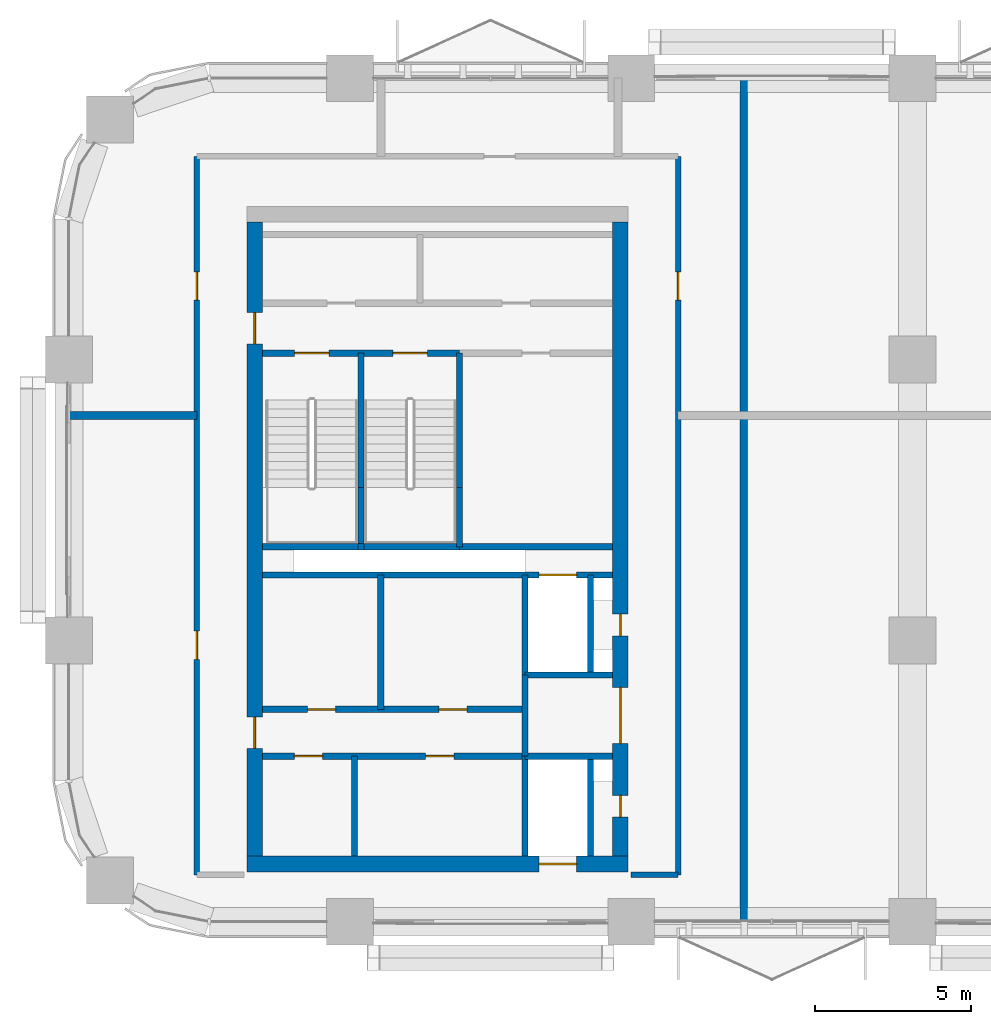
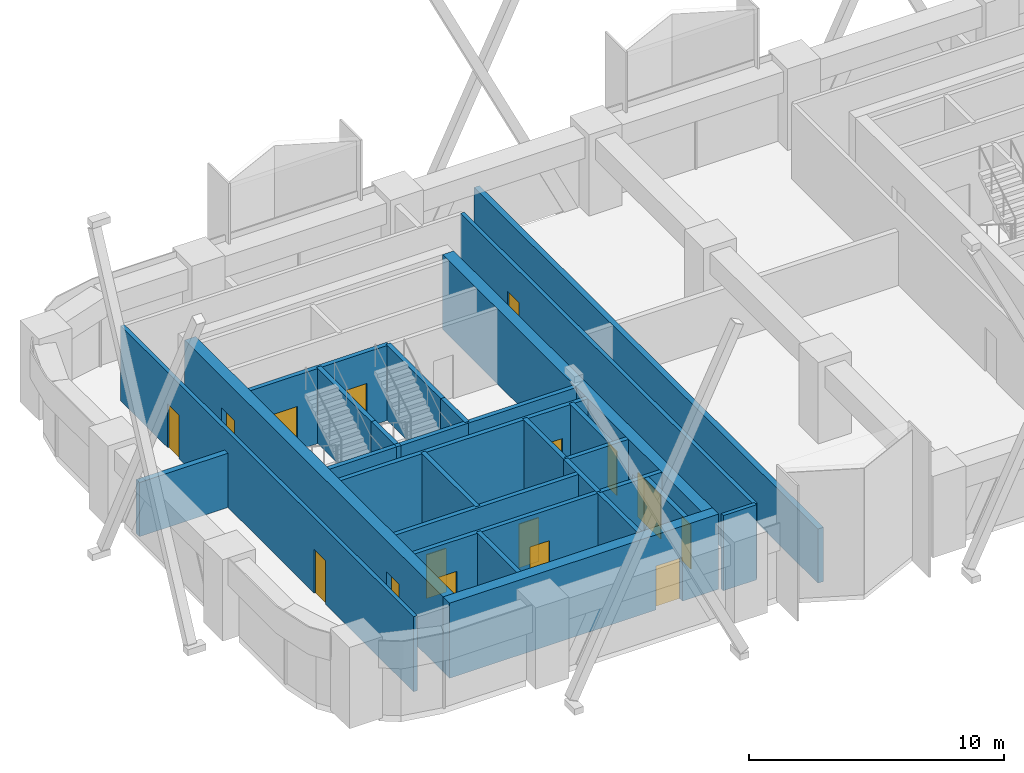
# One storey, part 9 of 14: 29 walls, 16 doors, 16 openings.
"""IFC4 building model written with IfcOpenShell, lengths in metres."""

from ifc_helpers import new_model, si_unit, direction, frame, frame_2d, origin, place, context, subcontext, project, spatial, rectangle, extrude, material, layer, layer_set, type_object, element, fill, save


model = new_model("IFC4")

# Units and contexts
model_context = context("Model", 3, precision=1e-05, world=origin(), true_north=direction((0.0, 1.0)))
body_context = subcontext(model_context, "Body", "Model", "MODEL_VIEW")
ifc_project = project(units=[si_unit("LENGTHUNIT", "METRE"), si_unit("AREAUNIT", "SQUARE_METRE"), si_unit("VOLUMEUNIT", "CUBIC_METRE"), si_unit("PLANEANGLEUNIT", "RADIAN"), si_unit("MASSUNIT", "GRAM", prefix="KILO")], contexts=[model_context])

# Site, building, storey
site_placement = place(None, origin())
site = spatial("IfcSite", under=ifc_project, at=site_placement, CompositionType="ELEMENT")
building_placement = place(site_placement, origin())
building = spatial("IfcBuilding", under=site, at=building_placement, Name="Tessera Arch", CompositionType="ELEMENT")
storey_placement = place(building_placement, frame((0.0, 0.0, 181.699951171875)))
storey = spatial("IfcBuildingStorey", under=building, at=storey_placement, Name="L43", CompositionType="ELEMENT", Elevation=181.699951171875)

# Walls
ifc_material_1 = material(Name="Gypsum board on steel stud", Category="steel")
ifc_layer_1 = layer(ifc_material_1, 0.125)
ifc_layer_set_1 = layer_set([ifc_layer_1], Name="Core partition 125 EI 60")
wall_type_1 = type_object("IfcWallType", Name="Core partition 125 EI 60", PredefinedType="PARTITIONING", material=ifc_layer_set_1)
wall_1_placement = place(storey_placement, frame((9.139892578125, 29.10009765625, 0.0), z_axis=(0.0, 0.0, 1.0), x_axis=(0.0, 1.0, 0.0)))
element("IfcWall", 1, at=wall_1_placement, inside=storey, type_object=wall_type_1, Name="L43 C2 partition wall 1", PredefinedType="PARTITIONING", context=body_context, shape_type="SweptSolid", body=[
    extrude(rectangle(XDim=3.199951171875, YDim=0.199951171875, at=frame_2d((1.60009765625, 0.0))), origin(), (0.0, 0.0, 1.0), 3.60009765625),
])
wall_2_placement = place(storey_placement, frame((9.97998046875, 33.800048828125, 0.0), z_axis=(0.0, 0.0, 1.0), x_axis=(0.0, 1.0, 0.0)))
element("IfcWall", 2, at=wall_2_placement, inside=storey, type_object=wall_type_1, Name="L43 C2 partition wall 4", PredefinedType="PARTITIONING", context=body_context, shape_type="SweptSolid", body=[
    extrude(rectangle(XDim=4.300048828125, YDim=0.199951171875, at=frame_2d((2.14990234375, 0.0))), origin(), (0.0, 0.0, 1.0), 3.60009765625),
])
wall_3_placement = place(storey_placement, frame((14.60009765625, 32.300048828125, 0.0), z_axis=(0.0, 0.0, 1.0), x_axis=(0.0, 1.0, 0.0)))
element("IfcWall", 3, at=wall_3_placement, inside=storey, type_object=wall_type_1, Name="L43 C2 partition wall 8", PredefinedType="PARTITIONING", context=body_context, shape_type="SweptSolid", body=[
    extrude(rectangle(XDim=2.599853515625, YDim=0.199951171875, at=frame_2d((1.2998046875, 0.0))), origin(), (0.0, 0.0, 1.0), 3.60009765625),
])

# Wall, openings, doors
wall_4_placement = place(storey_placement, frame((6.199951171875, 32.300048828125, 0.0), z_axis=(0.0, 0.0, 1.0), x_axis=(1.0, 0.0, 0.0)))
wall_4 = element("IfcWall", 4, at=wall_4_placement, inside=storey, type_object=wall_type_1, Name="L43 C2 partition wall 13", PredefinedType="PARTITIONING", context=body_context, shape_type="SweptSolid", body=[
    extrude(rectangle(XDim=8.400146484375, YDim=0.199951171875, at=frame_2d((4.2001953125, 0.0))), origin(), (0.0, 0.0, 1.0), 3.60009765625),
])
opening_1_placement = place(wall_4_placement, frame((1.02001953125, 0.0, 0.0)))
opening_1 = element("IfcOpeningElement", 5, at=opening_1_placement, cuts=wall_4, Name="Opening L43-C32", PredefinedType="OPENING", context=body_context, shape_type="SweptSolid", body=[
    extrude(rectangle(XDim=0.89990234375, YDim=2.10009765625, at=frame_2d((0.449951171875, 1.050048828125))), frame((0.0, 0.10986328125, 0.0), z_axis=(0.0, -1.0, 0.0), x_axis=(1.0, 0.0, 0.0)), (0.0, 0.0, 1.0), 0.219970703125),
])
opening_2_placement = place(wall_4_placement, frame((5.219970703125, 0.0, 0.0)))
opening_2 = element("IfcOpeningElement", 6, at=opening_2_placement, cuts=wall_4, Name="Opening L43-C33", PredefinedType="OPENING", context=body_context, shape_type="SweptSolid", body=[
    extrude(rectangle(XDim=0.89990234375, YDim=2.10009765625, at=frame_2d((0.449951171875, 1.050048828125))), frame((0.0, 0.10986328125, 0.0), z_axis=(0.0, -1.0, 0.0), x_axis=(1.0, 0.0, 0.0)), (0.0, 0.0, 1.0), 0.219970703125),
])
ifc_material_2 = material(Name="Steel door leaf", Category="steel")
door_type_1 = type_object("IfcDoorType", Name="Store door FD30S 900 x 2100", OperationType="SINGLE_SWING_LEFT", PredefinedType="DOOR", material=ifc_material_2)
door_1_placement = place(opening_1_placement, origin())
door_1 = element("IfcDoor", 7, at=door_1_placement, inside=storey, type_object=door_type_1, Name="L43 C2 door 13 C32 type D09", OperationType="SINGLE_SWING_LEFT", OverallHeight=2.10009765625, OverallWidth=0.89990234375, PredefinedType="DOOR", context=body_context, shape_type="SweptSolid", body=[
    extrude(rectangle(XDim=0.89990234375, YDim=2.10009765625, at=frame_2d((0.449951171875, 1.050048828125))), frame((0.0, 0.02490234375, 0.0), z_axis=(0.0, -1.0, 0.0), x_axis=(1.0, 0.0, 0.0)), (0.0, 0.0, 1.0), 0.050048828125),
])
fill(opening_1, door_1)
door_2_placement = place(opening_2_placement, origin())
door_2 = element("IfcDoor", 8, at=door_2_placement, inside=storey, type_object=door_type_1, Name="L43 C2 door 14 C33 type D09", OperationType="SINGLE_SWING_RIGHT", OverallHeight=2.10009765625, OverallWidth=0.89990234375, PredefinedType="DOOR", context=body_context, shape_type="SweptSolid", body=[
    extrude(rectangle(XDim=0.89990234375, YDim=2.10009765625, at=frame_2d((0.449951171875, 1.050048828125))), frame((0.0, 0.02490234375, 0.0), z_axis=(0.0, -1.0, 0.0), x_axis=(1.0, 0.0, 0.0)), (0.0, 0.0, 1.0), 0.050048828125),
])
fill(opening_2, door_2)

wall_5_placement = place(storey_placement, frame((6.199951171875, 33.800048828125, 0.0), z_axis=(0.0, 0.0, 1.0), x_axis=(1.0, 0.0, 0.0)))
wall_5 = element("IfcWall", 9, at=wall_5_placement, inside=storey, type_object=wall_type_1, Name="L43 C2 partition wall 15", PredefinedType="PARTITIONING", context=body_context, shape_type="SweptSolid", body=[
    extrude(rectangle(XDim=8.400146484375, YDim=0.199951171875, at=frame_2d((4.2001953125, 0.0))), origin(), (0.0, 0.0, 1.0), 3.60009765625),
])
opening_3_placement = place(wall_5_placement, frame((1.43994140625, 0.0, 0.0)))
opening_3 = element("IfcOpeningElement", 10, at=opening_3_placement, cuts=wall_5, Name="Opening L43-C34", PredefinedType="OPENING", context=body_context, shape_type="SweptSolid", body=[
    extrude(rectangle(XDim=0.89990234375, YDim=2.10009765625, at=frame_2d((0.449951171875, 1.050048828125))), frame((0.0, 0.10986328125, 0.0), z_axis=(0.0, -1.0, 0.0), x_axis=(1.0, 0.0, 0.0)), (0.0, 0.0, 1.0), 0.219970703125),
])
opening_4_placement = place(wall_5_placement, frame((5.639892578125, 0.0, 0.0)))
opening_4 = element("IfcOpeningElement", 11, at=opening_4_placement, cuts=wall_5, Name="Opening L43-C35", PredefinedType="OPENING", context=body_context, shape_type="SweptSolid", body=[
    extrude(rectangle(XDim=0.89990234375, YDim=2.10009765625, at=frame_2d((0.449951171875, 1.050048828125))), frame((0.0, 0.10986328125, 0.0), z_axis=(0.0, -1.0, 0.0), x_axis=(1.0, 0.0, 0.0)), (0.0, 0.0, 1.0), 0.219970703125),
])
door_3_placement = place(opening_3_placement, origin())
door_3 = element("IfcDoor", 12, at=door_3_placement, inside=storey, type_object=door_type_1, Name="L43 C2 door 15 C34 type D09", OperationType="SINGLE_SWING_LEFT", OverallHeight=2.10009765625, OverallWidth=0.89990234375, PredefinedType="DOOR", context=body_context, shape_type="SweptSolid", body=[
    extrude(rectangle(XDim=0.89990234375, YDim=2.10009765625, at=frame_2d((0.449951171875, 1.050048828125))), frame((0.0, 0.02490234375, 0.0), z_axis=(0.0, -1.0, 0.0), x_axis=(1.0, 0.0, 0.0)), (0.0, 0.0, 1.0), 0.050048828125),
])
fill(opening_3, door_3)
door_4_placement = place(opening_4_placement, origin())
door_4 = element("IfcDoor", 13, at=door_4_placement, inside=storey, type_object=door_type_1, Name="L43 C2 door 16 C35 type D09", OperationType="SINGLE_SWING_RIGHT", OverallHeight=2.10009765625, OverallWidth=0.89990234375, PredefinedType="DOOR", context=body_context, shape_type="SweptSolid", body=[
    extrude(rectangle(XDim=0.89990234375, YDim=2.10009765625, at=frame_2d((0.449951171875, 1.050048828125))), frame((0.0, 0.02490234375, 0.0), z_axis=(0.0, -1.0, 0.0), x_axis=(1.0, 0.0, 0.0)), (0.0, 0.0, 1.0), 0.050048828125),
])
fill(opening_4, door_4)

# Wall, opening, door
ifc_material_3 = material(Name="Concrete C60/75", Category="concrete")
ifc_layer_2 = layer(ifc_material_3, 0.5)
ifc_layer_set_2 = layer_set([ifc_layer_2], Name="Core shell wall 500 C60-75")
wall_type_2 = type_object("IfcWallType", Name="Core shell wall 500 C60-75", PredefinedType="SHEAR", material=ifc_layer_set_2)
wall_6_placement = place(storey_placement, frame((5.699951171875, 28.85009765625, 0.0), z_axis=(0.0, 0.0, 1.0), x_axis=(1.0, 0.0, 0.0)))
wall_6 = element("IfcWall", 14, at=wall_6_placement, inside=storey, type_object=wall_type_2, Name="L43 C2 core wall S", PredefinedType="SHEAR", context=body_context, shape_type="SweptSolid", body=[
    extrude(rectangle(XDim=12.199951171875, YDim=0.5, at=frame_2d((6.10009765625, 0.0))), origin(), (0.0, 0.0, 1.0), 3.60009765625),
])
opening_5_placement = place(wall_6_placement, frame((9.35009765625, 0.0, 0.0)))
opening_5 = element("IfcOpeningElement", 15, at=opening_5_placement, cuts=wall_6, Name="Opening L43-C20", PredefinedType="OPENING", context=body_context, shape_type="SweptSolid", body=[
    extrude(rectangle(XDim=1.199951171875, YDim=2.10009765625, at=frame_2d((0.60009765625, 1.050048828125))), frame((0.0, 0.260009765625, 0.0), z_axis=(0.0, -1.0, 0.0), x_axis=(1.0, 0.0, 0.0)), (0.0, 0.0, 1.0), 0.52001953125),
])
ifc_material_4 = material(Name="Stainless steel AISI 304", Category="steel")
door_type_2 = type_object("IfcDoorType", Name="Sliding landing door 1200 x 2100", OperationType="SLIDING_TO_LEFT", PredefinedType="DOOR", material=ifc_material_4)
door_5_placement = place(opening_5_placement, origin())
door_5 = element("IfcDoor", 16, at=door_5_placement, inside=storey, type_object=door_type_2, Name="L43 HR7 lift landing door C20 type LD", OperationType="SLIDING_TO_LEFT", OverallHeight=2.10009765625, OverallWidth=1.199951171875, PredefinedType="DOOR", context=body_context, shape_type="SweptSolid", body=[
    extrude(rectangle(XDim=1.199951171875, YDim=2.10009765625, at=frame_2d((0.60009765625, 1.050048828125))), frame((0.0, 0.02490234375, 0.0), z_axis=(0.0, -1.0, 0.0), x_axis=(1.0, 0.0, 0.0)), (0.0, 0.0, 1.0), 0.050048828125),
])
fill(opening_5, door_5)

# Wall, openings, doors
wall_7_placement = place(storey_placement, frame((5.949951171875, 29.10009765625, 0.0), z_axis=(0.0, 0.0, 1.0), x_axis=(0.0, 1.0, 0.0)))
wall_7 = element("IfcWall", 17, at=wall_7_placement, inside=storey, type_object=wall_type_2, Name="L43 C2 core wall W", PredefinedType="SHEAR", context=body_context, shape_type="SweptSolid", body=[
    extrude(rectangle(XDim=20.2998046875, YDim=0.5, at=frame_2d((10.14990234375, 0.0))), origin(), (0.0, 0.0, 1.0), 3.60009765625),
])
opening_6_placement = place(wall_7_placement, frame((3.449951171875, 0.0, 0.0)))
opening_6 = element("IfcOpeningElement", 18, at=opening_6_placement, cuts=wall_7, Name="Opening L43-C27", PredefinedType="OPENING", context=body_context, shape_type="SweptSolid", body=[
    extrude(rectangle(XDim=1.0, YDim=2.10009765625, at=frame_2d((0.5, 1.050048828125))), frame((0.0, 0.260009765625, 0.0), z_axis=(0.0, -1.0, 0.0), x_axis=(1.0, 0.0, 0.0)), (0.0, 0.0, 1.0), 0.52001953125),
])
opening_7_placement = place(wall_7_placement, frame((16.39990234375, 0.0, 0.0)))
opening_7 = element("IfcOpeningElement", 19, at=opening_7_placement, cuts=wall_7, Name="Opening L43-C28", PredefinedType="OPENING", context=body_context, shape_type="SweptSolid", body=[
    extrude(rectangle(XDim=1.0, YDim=2.10009765625, at=frame_2d((0.5, 1.050048828125))), frame((0.0, 0.260009765625, 0.0), z_axis=(0.0, -1.0, 0.0), x_axis=(1.0, 0.0, 0.0)), (0.0, 0.0, 1.0), 0.52001953125),
])
ifc_material_5 = material(Name="Steel door leaf", Category="steel")
door_type_3 = type_object("IfcDoorType", Name="Corridor door FD60 1000 x 2100", OperationType="SINGLE_SWING_LEFT", PredefinedType="DOOR", material=ifc_material_5)
door_6_placement = place(opening_6_placement, origin())
door_6 = element("IfcDoor", 20, at=door_6_placement, inside=storey, type_object=door_type_3, Name="L43 C2 door 8 C27 type D12", OperationType="SINGLE_SWING_LEFT", OverallHeight=2.10009765625, OverallWidth=1.0, PredefinedType="DOOR", context=body_context, shape_type="SweptSolid", body=[
    extrude(rectangle(XDim=1.0, YDim=2.10009765625, at=frame_2d((0.5, 1.050048828125))), frame((0.0, 0.02490234375, 0.0), z_axis=(0.0, -1.0, 0.0), x_axis=(1.0, 0.0, 0.0)), (0.0, 0.0, 1.0), 0.050048828125),
])
fill(opening_6, door_6)
door_7_placement = place(opening_7_placement, origin())
door_7 = element("IfcDoor", 21, at=door_7_placement, inside=storey, type_object=door_type_3, Name="L43 C2 door 9 C28 type D12", OperationType="SINGLE_SWING_RIGHT", OverallHeight=2.10009765625, OverallWidth=1.0, PredefinedType="DOOR", context=body_context, shape_type="SweptSolid", body=[
    extrude(rectangle(XDim=1.0, YDim=2.10009765625, at=frame_2d((0.5, 1.050048828125))), frame((0.0, 0.02490234375, 0.0), z_axis=(0.0, -1.0, 0.0), x_axis=(1.0, 0.0, 0.0)), (0.0, 0.0, 1.0), 0.050048828125),
])
fill(opening_7, door_7)

wall_8_placement = place(storey_placement, frame((17.64990234375, 29.10009765625, 0.0), z_axis=(0.0, 0.0, 1.0), x_axis=(0.0, 1.0, 0.0)))
wall_8 = element("IfcWall", 22, at=wall_8_placement, inside=storey, type_object=wall_type_2, Name="L43 C2 core wall E", PredefinedType="SHEAR", context=body_context, shape_type="SweptSolid", body=[
    extrude(rectangle(XDim=20.2998046875, YDim=0.5, at=frame_2d((10.14990234375, 0.0))), origin(), (0.0, 0.0, 1.0), 3.60009765625),
])
opening_8_placement = place(wall_8_placement, frame((1.25, 0.0, 0.0)))
opening_8 = element("IfcOpeningElement", 23, at=opening_8_placement, cuts=wall_8, Name="Opening L43-C22", PredefinedType="OPENING", context=body_context, shape_type="SweptSolid", body=[
    extrude(rectangle(XDim=0.699951171875, YDim=2.10009765625, at=frame_2d((0.35009765625, 1.050048828125))), frame((0.0, 0.260009765625, 0.0), z_axis=(0.0, -1.0, 0.0), x_axis=(1.0, 0.0, 0.0)), (0.0, 0.0, 1.0), 0.52001953125),
])
opening_9_placement = place(wall_8_placement, frame((7.050048828125, 0.0, 0.0)))
opening_9 = element("IfcOpeningElement", 24, at=opening_9_placement, cuts=wall_8, Name="Opening L43-C23", PredefinedType="OPENING", context=body_context, shape_type="SweptSolid", body=[
    extrude(rectangle(XDim=0.699951171875, YDim=2.10009765625, at=frame_2d((0.35009765625, 1.050048828125))), frame((0.0, 0.260009765625, 0.0), z_axis=(0.0, -1.0, 0.0), x_axis=(1.0, 0.0, 0.0)), (0.0, 0.0, 1.0), 0.52001953125),
])
opening_10_placement = place(wall_8_placement, frame((3.60009765625, 0.0, 0.0)))
opening_10 = element("IfcOpeningElement", 25, at=opening_10_placement, cuts=wall_8, Name="Opening L43-C26", PredefinedType="OPENING", context=body_context, shape_type="SweptSolid", body=[
    extrude(rectangle(XDim=1.800048828125, YDim=2.10009765625, at=frame_2d((0.89990234375, 1.050048828125))), frame((0.0, 0.260009765625, 0.0), z_axis=(0.0, -1.0, 0.0), x_axis=(1.0, 0.0, 0.0)), (0.0, 0.0, 1.0), 0.52001953125),
])
ifc_material_6 = material(Name="Glazed steel door leaf", Category="steel")
door_type_4 = type_object("IfcDoorType", Name="Lobby double door FD30S 1800 x 2100", OperationType="DOUBLE_DOOR_SINGLE_SWING", PredefinedType="DOOR", material=ifc_material_6)
door_8_placement = place(opening_10_placement, origin())
door_8 = element("IfcDoor", 26, at=door_8_placement, inside=storey, type_object=door_type_4, Name="L43 C2 door 7 C26 type D06", OperationType="DOUBLE_DOOR_SINGLE_SWING", OverallHeight=2.10009765625, OverallWidth=1.800048828125, PredefinedType="DOOR", context=body_context, shape_type="SweptSolid", body=[
    extrude(rectangle(XDim=1.800048828125, YDim=2.10009765625, at=frame_2d((0.89990234375, 1.050048828125))), frame((0.0, 0.02490234375, 0.0), z_axis=(0.0, -1.0, 0.0), x_axis=(1.0, 0.0, 0.0)), (0.0, 0.0, 1.0), 0.050048828125),
])
fill(opening_10, door_8)
ifc_material_7 = material(Name="Steel door leaf", Category="steel")
door_type_5 = type_object("IfcDoorType", Name="Service shaft door FD60 700 x 2100", OperationType="SINGLE_SWING_LEFT", PredefinedType="DOOR", material=ifc_material_7)
door_9_placement = place(opening_8_placement, origin())
door_9 = element("IfcDoor", 27, at=door_9_placement, inside=storey, type_object=door_type_5, Name="L43 C2 door 3 C22 type D07", OperationType="SINGLE_SWING_LEFT", OverallHeight=2.10009765625, OverallWidth=0.699951171875, PredefinedType="DOOR", context=body_context, shape_type="SweptSolid", body=[
    extrude(rectangle(XDim=0.699951171875, YDim=2.10009765625, at=frame_2d((0.35009765625, 1.050048828125))), frame((0.0, 0.02490234375, 0.0), z_axis=(0.0, -1.0, 0.0), x_axis=(1.0, 0.0, 0.0)), (0.0, 0.0, 1.0), 0.050048828125),
])
fill(opening_8, door_9)
door_10_placement = place(opening_9_placement, origin())
door_10 = element("IfcDoor", 28, at=door_10_placement, inside=storey, type_object=door_type_5, Name="L43 C2 door 4 C23 type D07", OperationType="SINGLE_SWING_LEFT", OverallHeight=2.10009765625, OverallWidth=0.699951171875, PredefinedType="DOOR", context=body_context, shape_type="SweptSolid", body=[
    extrude(rectangle(XDim=0.699951171875, YDim=2.10009765625, at=frame_2d((0.35009765625, 1.050048828125))), frame((0.0, 0.02490234375, 0.0), z_axis=(0.0, -1.0, 0.0), x_axis=(1.0, 0.0, 0.0)), (0.0, 0.0, 1.0), 0.050048828125),
])
fill(opening_9, door_10)

# Wall
ifc_material_8 = material(Name="Gypsum board on deep steel stud with mineral wool", Category="steel")
ifc_layer_3 = layer(ifc_material_8, 0.175048828125)
ifc_layer_set_3 = layer_set([ifc_layer_3], Name="Corridor wall 175 EI 60")
wall_type_3 = type_object("IfcWallType", Name="Corridor wall 175 EI 60", PredefinedType="PARTITIONING", material=ifc_layer_set_3)
wall_9_placement = place(storey_placement, frame((18.0, 28.5, 0.0), z_axis=(0.0, 0.0, 1.0), x_axis=(1.0, 0.0, 0.0)))
element("IfcWall", 29, at=wall_9_placement, inside=storey, type_object=wall_type_3, Name="L43 partition 2", PredefinedType="PARTITIONING", context=body_context, shape_type="SweptSolid", body=[
    extrude(rectangle(XDim=1.5, YDim=0.175048828125, at=frame_2d((0.75, 0.0))), origin(), (0.0, 0.0, 1.0), 3.60009765625),
])

# Wall, openings, doors
wall_10_placement = place(storey_placement, frame((4.10009765625, 28.5, 0.0), z_axis=(0.0, 0.0, 1.0), x_axis=(0.0, 1.0, 0.0)))
wall_10 = element("IfcWall", 30, at=wall_10_placement, inside=storey, type_object=wall_type_3, Name="L43 partition 7", PredefinedType="PARTITIONING", context=body_context, shape_type="SweptSolid", body=[
    extrude(rectangle(XDim=23.0, YDim=0.175048828125, at=frame_2d((11.5, 0.0))), origin(), (0.0, 0.0, 1.0), 3.60009765625),
])
opening_11_placement = place(wall_10_placement, frame((6.89990234375, 0.0, 0.0)))
opening_11 = element("IfcOpeningElement", 31, at=opening_11_placement, cuts=wall_10, Name="Opening L43-D001", PredefinedType="OPENING", context=body_context, shape_type="SweptSolid", body=[
    extrude(rectangle(XDim=0.89990234375, YDim=2.10009765625, at=frame_2d((0.449951171875, 1.050048828125))), frame((0.0, 0.097412109375, 0.0), z_axis=(0.0, -1.0, 0.0), x_axis=(1.0, 0.0, 0.0)), (0.0, 0.0, 1.0), 0.195068359375),
])
opening_12_placement = place(wall_10_placement, frame((18.39990234375, 0.0, 0.0)))
opening_12 = element("IfcOpeningElement", 32, at=opening_12_placement, cuts=wall_10, Name="Opening L43-D005", PredefinedType="OPENING", context=body_context, shape_type="SweptSolid", body=[
    extrude(rectangle(XDim=0.89990234375, YDim=2.10009765625, at=frame_2d((0.449951171875, 1.050048828125))), frame((0.0, 0.097412109375, 0.0), z_axis=(0.0, -1.0, 0.0), x_axis=(1.0, 0.0, 0.0)), (0.0, 0.0, 1.0), 0.195068359375),
])
ifc_material_9 = material(Name="Timber door leaf", Category="wood")
door_type_6 = type_object("IfcDoorType", Name="Room door 900 x 2100", OperationType="SINGLE_SWING_LEFT", PredefinedType="DOOR", material=ifc_material_9)
door_11_placement = place(opening_11_placement, origin())
door_11 = element("IfcDoor", 33, at=door_11_placement, inside=storey, type_object=door_type_6, Name="L43 door D001 type D01", OperationType="SINGLE_SWING_LEFT", OverallHeight=2.10009765625, OverallWidth=0.89990234375, PredefinedType="DOOR", context=body_context, shape_type="SweptSolid", body=[
    extrude(rectangle(XDim=0.89990234375, YDim=2.10009765625, at=frame_2d((0.449951171875, 1.050048828125))), frame((0.0, 0.02490234375, 0.0), z_axis=(0.0, -1.0, 0.0), x_axis=(1.0, 0.0, 0.0)), (0.0, 0.0, 1.0), 0.050048828125),
])
fill(opening_11, door_11)
door_12_placement = place(opening_12_placement, origin())
door_12 = element("IfcDoor", 34, at=door_12_placement, inside=storey, type_object=door_type_6, Name="L43 door D005 type D01", OperationType="SINGLE_SWING_LEFT", OverallHeight=2.10009765625, OverallWidth=0.89990234375, PredefinedType="DOOR", context=body_context, shape_type="SweptSolid", body=[
    extrude(rectangle(XDim=0.89990234375, YDim=2.10009765625, at=frame_2d((0.449951171875, 1.050048828125))), frame((0.0, 0.02490234375, 0.0), z_axis=(0.0, -1.0, 0.0), x_axis=(1.0, 0.0, 0.0)), (0.0, 0.0, 1.0), 0.050048828125),
])
fill(opening_12, door_12)

# Wall, opening, door
wall_11_placement = place(storey_placement, frame((19.5, 28.5, 0.0), z_axis=(0.0, 0.0, 1.0), x_axis=(0.0, 1.0, 0.0)))
wall_11 = element("IfcWall", 35, at=wall_11_placement, inside=storey, type_object=wall_type_3, Name="L43 partition 8", PredefinedType="PARTITIONING", context=body_context, shape_type="SweptSolid", body=[
    extrude(rectangle(XDim=23.0, YDim=0.175048828125, at=frame_2d((11.5, 0.0))), origin(), (0.0, 0.0, 1.0), 3.60009765625),
])
opening_13_placement = place(wall_11_placement, frame((18.39990234375, 0.0, 0.0)))
opening_13 = element("IfcOpeningElement", 36, at=opening_13_placement, cuts=wall_11, Name="Opening L43-D006", PredefinedType="OPENING", context=body_context, shape_type="SweptSolid", body=[
    extrude(rectangle(XDim=0.89990234375, YDim=2.10009765625, at=frame_2d((0.449951171875, 1.050048828125))), frame((0.0, 0.097412109375, 0.0), z_axis=(0.0, -1.0, 0.0), x_axis=(1.0, 0.0, 0.0)), (0.0, 0.0, 1.0), 0.195068359375),
])
door_13_placement = place(opening_13_placement, origin())
door_13 = element("IfcDoor", 37, at=door_13_placement, inside=storey, type_object=door_type_6, Name="L43 door D006 type D01", OperationType="SINGLE_SWING_LEFT", OverallHeight=2.10009765625, OverallWidth=0.89990234375, PredefinedType="DOOR", context=body_context, shape_type="SweptSolid", body=[
    extrude(rectangle(XDim=0.89990234375, YDim=2.10009765625, at=frame_2d((0.449951171875, 1.050048828125))), frame((0.0, 0.02490234375, 0.0), z_axis=(0.0, -1.0, 0.0), x_axis=(1.0, 0.0, 0.0)), (0.0, 0.0, 1.0), 0.050048828125),
])
fill(opening_13, door_13)

# Walls
ifc_material_10 = material(Name="Double gypsum board on twin steel stud with acoustic mineral wool", Category="steel")
ifc_layer_4 = layer(ifc_material_10, 0.25)
ifc_layer_set_4 = layer_set([ifc_layer_4], Name="Party wall 250 EI 60")
wall_type_4 = type_object("IfcWallType", Name="Party wall 250 EI 60", PredefinedType="PARTITIONING", material=ifc_layer_set_4)
wall_12_placement = place(storey_placement, frame((0.0, 43.199951171875, 0.0), z_axis=(0.0, 0.0, 1.0), x_axis=(1.0, 0.0, 0.0)))
element("IfcWall", 38, at=wall_12_placement, inside=storey, type_object=wall_type_4, Name="L43 partition 11", PredefinedType="PARTITIONING", context=body_context, shape_type="SweptSolid", body=[
    extrude(rectangle(XDim=4.10009765625, YDim=0.25, at=frame_2d((2.050048828125, 0.0))), origin(), (0.0, 0.0, 1.0), 2.60009765625),
])
wall_13_placement = place(storey_placement, frame((21.60009765625, 27.0, 0.0), z_axis=(0.0, 0.0, 1.0), x_axis=(0.0, 1.0, 0.0)))
element("IfcWall", 39, at=wall_13_placement, inside=storey, type_object=wall_type_4, Name="L43 partition 15", PredefinedType="PARTITIONING", context=body_context, shape_type="SweptSolid", body=[
    extrude(rectangle(XDim=27.0, YDim=0.25, at=frame_2d((13.5, 0.0))), origin(), (0.0, 0.0, 1.0), 2.60009765625),
])
ifc_material_11 = material(Name="Concrete C40/50", Category="concrete")
ifc_layer_5 = layer(ifc_material_11, 0.199951171875)
ifc_layer_set_5 = layer_set([ifc_layer_5], Name="Shaft wall 200 EI 120")
wall_type_5 = type_object("IfcWallType", Name="Shaft wall 200 EI 120", PredefinedType="SOLIDWALL", material=ifc_layer_set_5)
wall_14_placement = place(storey_placement, frame((14.60009765625, 29.10009765625, 0.0), z_axis=(0.0, 0.0, 1.0), x_axis=(0.0, 1.0, 0.0)))
element("IfcWall", 40, at=wall_14_placement, inside=storey, type_object=wall_type_5, Name="L43 C2 shaft wall 9", PredefinedType="SOLIDWALL", context=body_context, shape_type="SweptSolid", body=[
    extrude(rectangle(XDim=3.199951171875, YDim=0.199951171875, at=frame_2d((1.60009765625, 0.0))), origin(), (0.0, 0.0, 1.0), 3.60009765625),
])
wall_15_placement = place(storey_placement, frame((14.60009765625, 34.89990234375, 0.0), z_axis=(0.0, 0.0, 1.0), x_axis=(0.0, 1.0, 0.0)))
element("IfcWall", 41, at=wall_15_placement, inside=storey, type_object=wall_type_5, Name="L43 C2 shaft wall 10", PredefinedType="SOLIDWALL", context=body_context, shape_type="SweptSolid", body=[
    extrude(rectangle(XDim=3.2001953125, YDim=0.199951171875, at=frame_2d((1.60009765625, 0.0))), origin(), (0.0, 0.0, 1.0), 3.60009765625),
])
wall_16_placement = place(storey_placement, frame((16.699951171875, 29.10009765625, 0.0), z_axis=(0.0, 0.0, 1.0), x_axis=(0.0, 1.0, 0.0)))
element("IfcWall", 42, at=wall_16_placement, inside=storey, type_object=wall_type_5, Name="L43 C2 shaft wall 11", PredefinedType="SOLIDWALL", context=body_context, shape_type="SweptSolid", body=[
    extrude(rectangle(XDim=3.199951171875, YDim=0.199951171875, at=frame_2d((1.60009765625, 0.0))), origin(), (0.0, 0.0, 1.0), 3.60009765625),
])
wall_17_placement = place(storey_placement, frame((16.699951171875, 34.89990234375, 0.0), z_axis=(0.0, 0.0, 1.0), x_axis=(0.0, 1.0, 0.0)))
element("IfcWall", 43, at=wall_17_placement, inside=storey, type_object=wall_type_5, Name="L43 C2 shaft wall 12", PredefinedType="SOLIDWALL", context=body_context, shape_type="SweptSolid", body=[
    extrude(rectangle(XDim=3.2001953125, YDim=0.199951171875, at=frame_2d((1.60009765625, 0.0))), origin(), (0.0, 0.0, 1.0), 3.60009765625),
])
for number, where, z_axis, x_axis, name in (
    (44, (14.60009765625, 32.300048828125, 0.0), (0.0, 0.0, 1.0), (1.0, 0.0, 0.0), "L43 C2 shaft wall 14"),
    (45, (14.60009765625, 34.89990234375, 0.0), (0.0, 0.0, 1.0), (1.0, 0.0, 0.0), "L43 C2 shaft wall 16"),
):
    element("IfcWall", number, at=place(storey_placement, frame(where, z_axis=z_axis, x_axis=x_axis)), inside=storey, type_object=wall_type_5, Name=name, PredefinedType="SOLIDWALL", context=body_context, shape_type="SweptSolid", body=[
        extrude(rectangle(XDim=2.7998046875, YDim=0.199951171875, at=frame_2d((1.39990234375, 0.0))), origin(), (0.0, 0.0, 1.0), 3.60009765625),
    ])

# Wall, opening, door
wall_18_placement = place(storey_placement, frame((6.199951171875, 38.10009765625, 0.0), z_axis=(0.0, 0.0, 1.0), x_axis=(1.0, 0.0, 0.0)))
wall_18 = element("IfcWall", 46, at=wall_18_placement, inside=storey, type_object=wall_type_5, Name="L43 C2 shaft wall 17", PredefinedType="SOLIDWALL", context=body_context, shape_type="SweptSolid", body=[
    extrude(rectangle(XDim=11.199951171875, YDim=0.199951171875, at=frame_2d((5.60009765625, 0.0))), origin(), (0.0, 0.0, 1.0), 3.60009765625),
])
opening_14_placement = place(wall_18_placement, frame((8.85009765625, 0.0, 0.0)))
opening_14 = element("IfcOpeningElement", 47, at=opening_14_placement, cuts=wall_18, Name="Opening L43-C21", PredefinedType="OPENING", context=body_context, shape_type="SweptSolid", body=[
    extrude(rectangle(XDim=1.199951171875, YDim=2.10009765625, at=frame_2d((0.60009765625, 1.050048828125))), frame((0.0, 0.10986328125, 0.0), z_axis=(0.0, -1.0, 0.0), x_axis=(1.0, 0.0, 0.0)), (0.0, 0.0, 1.0), 0.219970703125),
])
door_14_placement = place(opening_14_placement, origin())
door_14 = element("IfcDoor", 48, at=door_14_placement, inside=storey, type_object=door_type_2, Name="L43 HR8 lift landing door C21 type LD", OperationType="SLIDING_TO_LEFT", OverallHeight=2.10009765625, OverallWidth=1.199951171875, PredefinedType="DOOR", context=body_context, shape_type="SweptSolid", body=[
    extrude(rectangle(XDim=1.199951171875, YDim=2.10009765625, at=frame_2d((0.60009765625, 1.050048828125))), frame((0.0, 0.02490234375, 0.0), z_axis=(0.0, -1.0, 0.0), x_axis=(1.0, 0.0, 0.0)), (0.0, 0.0, 1.0), 0.050048828125),
])
fill(opening_14, door_14)

# Walls
wall_19_placement = place(storey_placement, frame((12.5, 39.0, 0.0), z_axis=(0.0, 0.0, 1.0), x_axis=(1.0, 0.0, 0.0)))
element("IfcWall", 49, at=wall_19_placement, inside=storey, type_object=wall_type_5, Name="L43 C2 shaft wall 18", PredefinedType="SOLIDWALL", context=body_context, shape_type="SweptSolid", body=[
    extrude(rectangle(XDim=4.89990234375, YDim=0.199951171875, at=frame_2d((2.449951171875, 0.0))), origin(), (0.0, 0.0, 1.0), 3.60009765625),
])
ifc_material_12 = material(Name="Concrete C40/50", Category="concrete")
ifc_layer_6 = layer(ifc_material_12, 0.199951171875)
ifc_layer_set_6 = layer_set([ifc_layer_6], Name="Stair well wall 200 REI 180")
wall_type_6 = type_object("IfcWallType", Name="Stair well wall 200 REI 180", PredefinedType="SOLIDWALL", material=ifc_layer_set_6)
wall_20_placement = place(storey_placement, frame((9.35009765625, 39.0, 0.0), z_axis=(0.0, 0.0, 1.0), x_axis=(0.0, 1.0, 0.0)))
element("IfcWall", 50, at=wall_20_placement, inside=storey, type_object=wall_type_6, Name="L43 C2 shaft wall 2", PredefinedType="SOLIDWALL", context=body_context, shape_type="SweptSolid", body=[
    extrude(rectangle(XDim=1.89990234375, YDim=0.199951171875, at=frame_2d((0.949951171875, 0.0))), origin(), (0.0, 0.0, 1.0), 3.60009765625),
])
wall_21_placement = place(storey_placement, frame((9.35009765625, 40.89990234375, 0.0), z_axis=(0.0, 0.0, 1.0), x_axis=(0.0, 1.0, 0.0)))
element("IfcWall", 51, at=wall_21_placement, inside=storey, type_object=wall_type_6, Name="L43 C2 shaft wall 3", PredefinedType="SOLIDWALL", context=body_context, shape_type="SweptSolid", body=[
    extrude(rectangle(XDim=4.300048828125, YDim=0.199951171875, at=frame_2d((2.14990234375, 0.0))), origin(), (0.0, 0.0, 1.0), 3.60009765625),
])
wall_22_placement = place(storey_placement, frame((12.5, 39.0, 0.0), z_axis=(0.0, 0.0, 1.0), x_axis=(0.0, 1.0, 0.0)))
element("IfcWall", 52, at=wall_22_placement, inside=storey, type_object=wall_type_6, Name="L43 C2 shaft wall 6", PredefinedType="SOLIDWALL", context=body_context, shape_type="SweptSolid", body=[
    extrude(rectangle(XDim=1.89990234375, YDim=0.199951171875, at=frame_2d((0.949951171875, 0.0))), origin(), (0.0, 0.0, 1.0), 3.60009765625),
])
wall_23_placement = place(storey_placement, frame((12.5, 40.89990234375, 0.0), z_axis=(0.0, 0.0, 1.0), x_axis=(0.0, 1.0, 0.0)))
element("IfcWall", 53, at=wall_23_placement, inside=storey, type_object=wall_type_6, Name="L43 C2 shaft wall 7", PredefinedType="SOLIDWALL", context=body_context, shape_type="SweptSolid", body=[
    extrude(rectangle(XDim=4.300048828125, YDim=0.199951171875, at=frame_2d((2.14990234375, 0.0))), origin(), (0.0, 0.0, 1.0), 3.60009765625),
])
wall_24_placement = place(storey_placement, frame((6.199951171875, 39.0, 0.0), z_axis=(0.0, 0.0, 1.0), x_axis=(1.0, 0.0, 0.0)))
element("IfcWall", 54, at=wall_24_placement, inside=storey, type_object=wall_type_6, Name="L43 C2 shaft wall 19", PredefinedType="SOLIDWALL", context=body_context, shape_type="SweptSolid", body=[
    extrude(rectangle(XDim=3.050048828125, YDim=0.199951171875, at=frame_2d((1.52490234375, 0.0))), origin(), (0.0, 0.0, 1.0), 3.60009765625),
])
wall_25_placement = place(storey_placement, frame((9.25, 39.0, 0.0), z_axis=(0.0, 0.0, 1.0), x_axis=(1.0, 0.0, 0.0)))
element("IfcWall", 55, at=wall_25_placement, inside=storey, type_object=wall_type_6, Name="L43 C2 shaft wall 20", PredefinedType="SOLIDWALL", context=body_context, shape_type="SweptSolid", body=[
    extrude(rectangle(XDim=0.199951171875, YDim=0.199951171875, at=frame_2d((0.10009765625, 0.0))), origin(), (0.0, 0.0, 1.0), 3.60009765625),
])
wall_26_placement = place(storey_placement, frame((9.449951171875, 39.0, 0.0), z_axis=(0.0, 0.0, 1.0), x_axis=(1.0, 0.0, 0.0)))
element("IfcWall", 56, at=wall_26_placement, inside=storey, type_object=wall_type_6, Name="L43 C2 shaft wall 21", PredefinedType="SOLIDWALL", context=body_context, shape_type="SweptSolid", body=[
    extrude(rectangle(XDim=3.050048828125, YDim=0.199951171875, at=frame_2d((1.52490234375, 0.0))), origin(), (0.0, 0.0, 1.0), 3.60009765625),
])

# Wall, openings, doors
wall_27_placement = place(storey_placement, frame((6.199951171875, 45.199951171875, 0.0), z_axis=(0.0, 0.0, 1.0), x_axis=(1.0, 0.0, 0.0)))
wall_27 = element("IfcWall", 57, at=wall_27_placement, inside=storey, type_object=wall_type_6, Name="L43 C2 shaft wall 23", PredefinedType="SOLIDWALL", context=body_context, shape_type="SweptSolid", body=[
    extrude(rectangle(XDim=6.300048828125, YDim=0.199951171875, at=frame_2d((3.14990234375, 0.0))), origin(), (0.0, 0.0, 1.0), 3.60009765625),
])
opening_15_placement = place(wall_27_placement, frame((1.02490234375, 0.0, 0.0)))
opening_15 = element("IfcOpeningElement", 58, at=opening_15_placement, cuts=wall_27, Name="Opening L43-C24", PredefinedType="OPENING", context=body_context, shape_type="SweptSolid", body=[
    extrude(rectangle(XDim=1.10009765625, YDim=2.10009765625, at=frame_2d((0.550048828125, 1.050048828125))), frame((0.0, 0.10986328125, 0.0), z_axis=(0.0, -1.0, 0.0), x_axis=(1.0, 0.0, 0.0)), (0.0, 0.0, 1.0), 0.219970703125),
])
opening_16_placement = place(wall_27_placement, frame((4.175048828125, 0.0, 0.0)))
opening_16 = element("IfcOpeningElement", 59, at=opening_16_placement, cuts=wall_27, Name="Opening L43-C25", PredefinedType="OPENING", context=body_context, shape_type="SweptSolid", body=[
    extrude(rectangle(XDim=1.10009765625, YDim=2.10009765625, at=frame_2d((0.550048828125, 1.050048828125))), frame((0.0, 0.10986328125, 0.0), z_axis=(0.0, -1.0, 0.0), x_axis=(1.0, 0.0, 0.0)), (0.0, 0.0, 1.0), 0.219970703125),
])
ifc_material_13 = material(Name="Steel door leaf", Category="steel")
door_type_7 = type_object("IfcDoorType", Name="Stair door FD60 1100 x 2100", OperationType="SINGLE_SWING_LEFT", PredefinedType="DOOR", material=ifc_material_13)
door_15_placement = place(opening_15_placement, origin())
door_15 = element("IfcDoor", 60, at=door_15_placement, inside=storey, type_object=door_type_7, Name="L43 C2 door 5 C24 type D05", OperationType="SINGLE_SWING_LEFT", OverallHeight=2.10009765625, OverallWidth=1.10009765625, PredefinedType="DOOR", context=body_context, shape_type="SweptSolid", body=[
    extrude(rectangle(XDim=1.10009765625, YDim=2.10009765625, at=frame_2d((0.550048828125, 1.050048828125))), frame((0.0, 0.02490234375, 0.0), z_axis=(0.0, -1.0, 0.0), x_axis=(1.0, 0.0, 0.0)), (0.0, 0.0, 1.0), 0.050048828125),
])
fill(opening_15, door_15)
door_16_placement = place(opening_16_placement, origin())
door_16 = element("IfcDoor", 61, at=door_16_placement, inside=storey, type_object=door_type_7, Name="L43 C2 door 6 C25 type D05", OperationType="SINGLE_SWING_RIGHT", OverallHeight=2.10009765625, OverallWidth=1.10009765625, PredefinedType="DOOR", context=body_context, shape_type="SweptSolid", body=[
    extrude(rectangle(XDim=1.10009765625, YDim=2.10009765625, at=frame_2d((0.550048828125, 1.050048828125))), frame((0.0, 0.02490234375, 0.0), z_axis=(0.0, -1.0, 0.0), x_axis=(1.0, 0.0, 0.0)), (0.0, 0.0, 1.0), 0.050048828125),
])
fill(opening_16, door_16)

save(model, "model.ifc")
